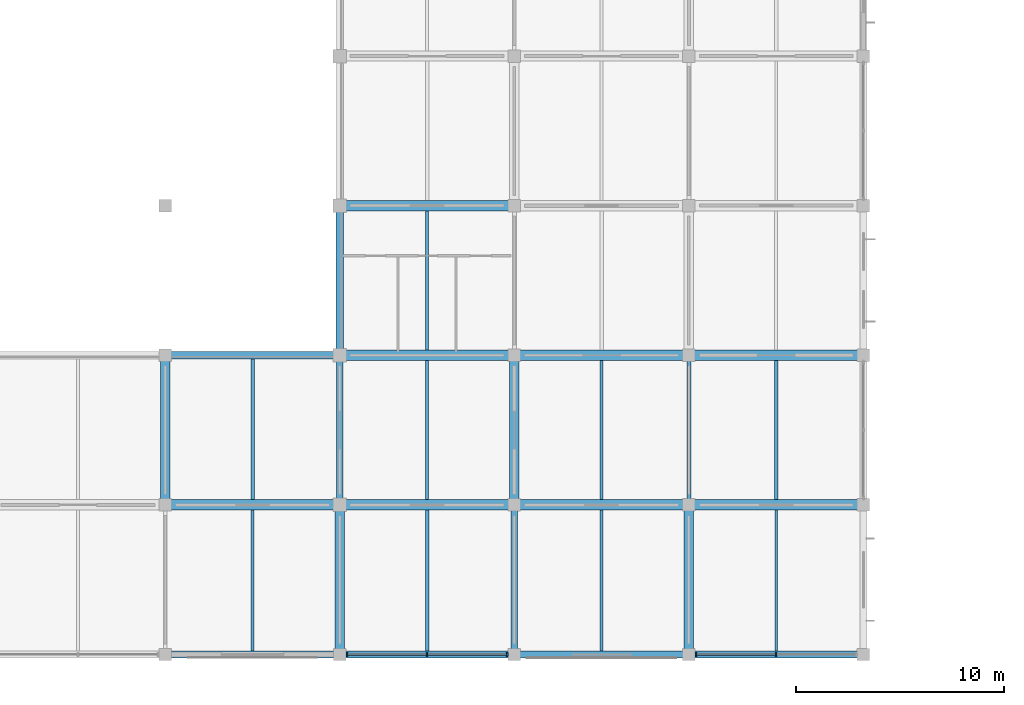
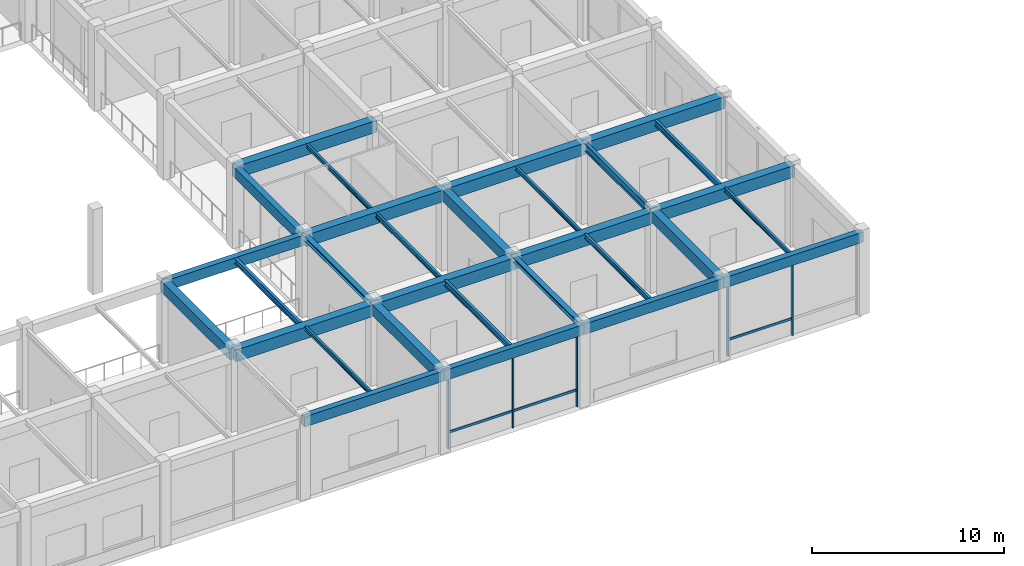
# One storey, part 3 of 38: 30 beams, 8 members, 2 elements without a shape of their own.
"""IFC4 building model written with IfcOpenShell, lengths in metres."""

from ifc_helpers import new_model, si_unit, derived_unit, direction, frame, origin, origin_2d, place, context, subcontext, project, spatial, rectangle, i_section, extrude, material, material_profile, profile_set, type_object, element, aggregate, save


model = new_model("IFC4")

# Units and contexts
model_context = context("Model", 3, precision=1e-05, world=origin(), true_north=direction((0.0, 1.0)))
body_context = subcontext(model_context, "Body", "Model", "MODEL_VIEW")
ifc_project = project(units=[si_unit("LENGTHUNIT", "METRE"), si_unit("AREAUNIT", "SQUARE_METRE"), si_unit("VOLUMEUNIT", "CUBIC_METRE"), si_unit("PLANEANGLEUNIT", "RADIAN"), si_unit("MASSUNIT", "GRAM", prefix="KILO"), derived_unit("THERMALTRANSMITTANCEUNIT", [(si_unit("MASSUNIT", "GRAM", prefix="KILO"), 1), (si_unit("TIMEUNIT", "SECOND"), -3), (si_unit("THERMODYNAMICTEMPERATUREUNIT", "KELVIN"), -1)])], contexts=[model_context])

# Site, building, storey
site_placement = place(None, origin())
site = spatial("IfcSite", under=ifc_project, at=site_placement, CompositionType="ELEMENT")
building_placement = place(site_placement, origin())
building = spatial("IfcBuilding", under=site, at=building_placement, Name="Veldstrom Oceanarium and Marine Research Institute", CompositionType="ELEMENT")
storey_placement = place(building_placement, frame((0.0, 0.0, 11.39990234375)))
storey = spatial("IfcBuildingStorey", under=building, at=storey_placement, Name="L02", CompositionType="ELEMENT", Elevation=11.39990234375)

# Curtain wall, members
ifc_material_1 = material(Name="Anodised Aluminium Framing", Category="aluminium")
curtain_wall_type = type_object("IfcCurtainWallType", Name="ARC-CW-CW02", PredefinedType="USERDEFINED", material=ifc_material_1)
curtain_wall_1_placement = place(storey_placement, origin())
curtain_wall_1 = element("IfcCurtainWall", 1, at=curtain_wall_1_placement, inside=storey, type_object=curtain_wall_type, Name="Curtain Wall CW02 CW-L02-024", ObjectType="Curtain wall", PredefinedType="USERDEFINED")
ifc_material_2 = material(Name="Anodised Aluminium Framing", Category="aluminium")
ifc_material_profile_1 = material_profile(ifc_material_2, rectangle(XDim=0.074951171875, YDim=0.179931640625, at=origin_2d()), Name="ALU-MUL-75x180")
ifc_profile_set_1 = profile_set([ifc_material_profile_1], Name="Anodised Aluminium Framing")
member_type_1 = type_object("IfcMemberType", Name="ARC-MUL-ML1", PredefinedType="MULLION", material=ifc_profile_set_1)
member_1_placement = place(storey_placement, frame((42.340087890625, 0.0, 0.0), z_axis=(0.0, 0.0, 1.0), x_axis=(1.0, 0.0, 0.0)))
member_1 = element("IfcMember", 2, at=member_1_placement, type_object=member_type_1, Name="Curtain Wall Mullion CW-L02-024-MUL-1", PredefinedType="MULLION", context=body_context, shape_type="SweptSolid", body=[
    extrude(rectangle(XDim=0.074951171875, YDim=0.179931640625, at=origin_2d()), origin(), (0.0, 0.0, 1.0), 5.10009765625),
])
member_2_placement = place(storey_placement, frame((46.199951171875, 0.0, 0.0), z_axis=(0.0, 0.0, 1.0), x_axis=(1.0, 0.0, 0.0)))
member_2 = element("IfcMember", 3, at=member_2_placement, type_object=member_type_1, Name="Curtain Wall Mullion CW-L02-024-MUL-2", PredefinedType="MULLION", context=body_context, shape_type="SweptSolid", body=[
    extrude(rectangle(XDim=0.074951171875, YDim=0.179931640625, at=origin_2d()), origin(), (0.0, 0.0, 1.0), 5.10009765625),
])
member_3_placement = place(storey_placement, frame((50.06005859375, 0.0, 0.0), z_axis=(0.0, 0.0, 1.0), x_axis=(1.0, 0.0, 0.0)))
member_3 = element("IfcMember", 4, at=member_3_placement, type_object=member_type_1, Name="Curtain Wall Mullion CW-L02-024-MUL-3", PredefinedType="MULLION", context=body_context, shape_type="SweptSolid", body=[
    extrude(rectangle(XDim=0.074951171875, YDim=0.179931640625, at=origin_2d()), origin(), (0.0, 0.0, 1.0), 5.10009765625),
])

curtain_wall_2_placement = place(storey_placement, origin())
curtain_wall_2 = element("IfcCurtainWall", 5, at=curtain_wall_2_placement, inside=storey, type_object=curtain_wall_type, Name="Curtain Wall CW02 CW-L02-026", ObjectType="Curtain wall", PredefinedType="USERDEFINED")
member_4_placement = place(storey_placement, frame((59.139892578125, 0.0, 0.0), z_axis=(0.0, 0.0, 1.0), x_axis=(1.0, 0.0, 0.0)))
member_4 = element("IfcMember", 6, at=member_4_placement, type_object=member_type_1, Name="Curtain Wall Mullion CW-L02-026-MUL-1", PredefinedType="MULLION", context=body_context, shape_type="SweptSolid", body=[
    extrude(rectangle(XDim=0.074951171875, YDim=0.179931640625, at=origin_2d()), origin(), (0.0, 0.0, 1.0), 5.10009765625),
])
member_5_placement = place(storey_placement, frame((63.0, 0.0, 0.0), z_axis=(0.0, 0.0, 1.0), x_axis=(1.0, 0.0, 0.0)))
member_5 = element("IfcMember", 7, at=member_5_placement, type_object=member_type_1, Name="Curtain Wall Mullion CW-L02-026-MUL-2", PredefinedType="MULLION", context=body_context, shape_type="SweptSolid", body=[
    extrude(rectangle(XDim=0.074951171875, YDim=0.179931640625, at=origin_2d()), origin(), (0.0, 0.0, 1.0), 5.10009765625),
])

# Member
ifc_material_3 = material(Name="Anodised Aluminium Framing", Category="aluminium")
ifc_material_profile_2 = material_profile(ifc_material_3, rectangle(XDim=0.074951171875, YDim=0.14990234375, at=origin_2d()), Name="ALU-TRN-75x150")
ifc_profile_set_2 = profile_set([ifc_material_profile_2], Name="Anodised Aluminium Framing")
member_type_2 = type_object("IfcMemberType", Name="ARC-TRN-TR1", PredefinedType="USERDEFINED", material=ifc_profile_set_2)
member_6_placement = place(storey_placement, frame((42.3798828125, 0.0, 1.050048828125), z_axis=(1.0, 0.0, 0.0), x_axis=(0.0, 1.0, 0.0)))
member_6 = element("IfcMember", 8, at=member_6_placement, type_object=member_type_2, Name="Curtain Wall Transom CW-L02-024-TRN-1", ObjectType="Transom", PredefinedType="USERDEFINED", context=body_context, shape_type="SweptSolid", body=[
    extrude(rectangle(XDim=0.074951171875, YDim=0.14990234375, at=origin_2d()), origin(), (0.0, 0.0, 1.0), 3.780029296875),
])

member_7_placement = place(storey_placement, frame((46.239990234375, 0.0, 1.050048828125), z_axis=(1.0, 0.0, 0.0), x_axis=(0.0, 1.0, 0.0)))
member_7 = element("IfcMember", 9, at=member_7_placement, type_object=member_type_2, Name="Curtain Wall Transom CW-L02-024-TRN-2", ObjectType="Transom", PredefinedType="USERDEFINED", context=body_context, shape_type="SweptSolid", body=[
    extrude(rectangle(XDim=0.074951171875, YDim=0.14990234375, at=origin_2d()), origin(), (0.0, 0.0, 1.0), 3.780029296875),
])

aggregate(curtain_wall_1, [member_1, member_2, member_3, member_6, member_7])

member_8_placement = place(storey_placement, frame((59.179931640625, 0.0, 1.050048828125), z_axis=(1.0, 0.0, 0.0), x_axis=(0.0, 1.0, 0.0)))
member_8 = element("IfcMember", 10, at=member_8_placement, type_object=member_type_2, Name="Curtain Wall Transom CW-L02-026-TRN-1", ObjectType="Transom", PredefinedType="USERDEFINED", context=body_context, shape_type="SweptSolid", body=[
    extrude(rectangle(XDim=0.074951171875, YDim=0.14990234375, at=origin_2d()), origin(), (0.0, 0.0, 1.0), 3.780029296875),
])

aggregate(curtain_wall_2, [member_4, member_5, member_8])

# Beams
ifc_material_4 = material(Name="Concrete C40/50", Category="concrete")
ifc_material_profile_3 = material_profile(ifc_material_4, rectangle(XDim=0.5, YDim=0.75, at=origin_2d()), Name="RC-BM-500x750")
ifc_profile_set_3 = profile_set([ifc_material_profile_3], Name="Concrete C40/50")
beam_type_1 = type_object("IfcBeamType", Name="STR-BM-B03", PredefinedType="BEAM", material=ifc_profile_set_3)
for number, where, z_axis, x_axis, name in (
    (11, (33.60009765625, 7.199951171875, 4.72021484375), (1.0, 0.0, 0.0), (0.0, 1.0, 0.0), "Primary Beam B03 L02-1514"),
    (12, (42.0, 7.199951171875, 4.72021484375), (1.0, 0.0, 0.0), (0.0, 1.0, 0.0), "Primary Beam B03 L02-1520"),
    (13, (42.0, 14.39990234375, 4.72021484375), (1.0, 0.0, 0.0), (0.0, 1.0, 0.0), "Primary Beam B03 L02-1521"),
    (14, (42.0, 21.60009765625, 4.72021484375), (1.0, 0.0, 0.0), (0.0, 1.0, 0.0), "Primary Beam B03 L02-1522"),
):
    element("IfcBeam", number, at=place(storey_placement, frame(where, z_axis=z_axis, x_axis=x_axis)), inside=storey, type_object=beam_type_1, Name=name, PredefinedType="BEAM", context=body_context, shape_type="SweptSolid", body=[
        extrude(rectangle(XDim=0.5, YDim=0.75, at=origin_2d()), origin(), (0.0, 0.0, 1.0), 8.39990234375),
    ])
for number, where, z_axis, x_axis, name in (
    (15, (50.39990234375, 7.199951171875, 4.72021484375), (1.0, 0.0, 0.0), (0.0, 1.0, 0.0), "Primary Beam B03 L02-1531"),
    (16, (50.39990234375, 14.39990234375, 4.72021484375), (1.0, 0.0, 0.0), (0.0, 1.0, 0.0), "Primary Beam B03 L02-1532"),
):
    element("IfcBeam", number, at=place(storey_placement, frame(where, z_axis=z_axis, x_axis=x_axis)), inside=storey, type_object=beam_type_1, Name=name, PredefinedType="BEAM", context=body_context, shape_type="SweptSolid", body=[
        extrude(rectangle(XDim=0.5, YDim=0.75, at=origin_2d()), origin(), (0.0, 0.0, 1.0), 8.400146484375),
    ])
for number, where, z_axis, x_axis, name in (
    (17, (58.800048828125, 7.199951171875, 4.72021484375), (1.0, 0.0, 0.0), (0.0, 1.0, 0.0), "Primary Beam B03 L02-1542"),
    (18, (58.800048828125, 14.39990234375, 4.72021484375), (1.0, 0.0, 0.0), (0.0, 1.0, 0.0), "Primary Beam B03 L02-1543"),
):
    element("IfcBeam", number, at=place(storey_placement, frame(where, z_axis=z_axis, x_axis=x_axis)), inside=storey, type_object=beam_type_1, Name=name, PredefinedType="BEAM", context=body_context, shape_type="SweptSolid", body=[
        extrude(rectangle(XDim=0.5, YDim=0.75, at=origin_2d()), origin(), (0.0, 0.0, 1.0), 8.39990234375),
    ])
ifc_material_5 = material(Name="Concrete C40/50", Category="concrete")
ifc_material_profile_4 = material_profile(ifc_material_5, rectangle(XDim=0.449951171875, YDim=0.699951171875, at=origin_2d()), Name="RC-BM-450x700")
ifc_profile_set_4 = profile_set([ifc_material_profile_4], Name="Concrete C40/50")
beam_type_2 = type_object("IfcBeamType", Name="STR-BM-B04", PredefinedType="BEAM", material=ifc_profile_set_4)
for number, where, z_axis, x_axis, name in (
    (19, (33.60009765625, 7.199951171875, 4.7451171875), (0.0, 1.0, 0.0), (-1.0, 0.0, 0.0), "Primary Beam B04 L02-1642"),
    (20, (42.0, 0.0, 4.820068359375), (0.0, 1.0, 0.0), (-1.0, 0.0, 0.0), "Primary Beam B04 L02-1645"),
    (21, (50.39990234375, 7.199951171875, 4.7451171875), (0.0, 1.0, 0.0), (-1.0, 0.0, 0.0), "Primary Beam B04 L02-1656"),
    (22, (58.800048828125, 0.0, 4.820068359375), (0.0, 1.0, 0.0), (-1.0, 0.0, 0.0), "Primary Beam B04 L02-1665"),
):
    element("IfcBeam", number, at=place(storey_placement, frame(where, z_axis=z_axis, x_axis=x_axis)), inside=storey, type_object=beam_type_2, Name=name, PredefinedType="BEAM", context=body_context, shape_type="SweptSolid", body=[
        extrude(rectangle(XDim=0.449951171875, YDim=0.699951171875, at=origin_2d()), origin(), (0.0, 0.0, 1.0), 7.199951171875),
    ])
ifc_material_6 = material(Name="Steel S355JR", Category="steel")
ifc_material_profile_5 = material_profile(ifc_material_6, i_section(OverallWidth=0.300048828125, OverallDepth=0.2900390625, WebThickness=0.008544921875, FlangeThickness=0.013916015625, FilletRadius=0.027099609375, at=origin_2d()), Name="HEA 300")
ifc_profile_set_5 = profile_set([ifc_material_profile_5], Name="Steel S355JR")
beam_type_3 = type_object("IfcBeamType", Name="STR-BM-SB10", PredefinedType="BEAM", material=ifc_profile_set_5)
for number, where, z_axis, x_axis, name in (
    (23, (42.0, 7.199951171875, 4.9501953125), (0.0, 1.0, 0.0), (-1.0, 0.0, 0.0), "Steel Tie Beam SB10 L02-1646"),
    (24, (50.39990234375, 0.0, 5.025146484375), (0.0, 1.0, 0.0), (-1.0, 0.0, 0.0), "Steel Tie Beam SB10 L02-1655"),
):
    element("IfcBeam", number, at=place(storey_placement, frame(where, z_axis=z_axis, x_axis=x_axis)), inside=storey, type_object=beam_type_3, Name=name, PredefinedType="BEAM", context=body_context, shape_type="SweptSolid", body=[
        extrude(i_section(OverallWidth=0.300048828125, OverallDepth=0.2900390625, WebThickness=0.008544921875, FlangeThickness=0.013916015625, FilletRadius=0.027099609375, at=origin_2d()), origin(), (0.0, 0.0, 1.0), 7.199951171875),
    ])
ifc_material_7 = material(Name="Steel S355JR", Category="steel")
ifc_material_profile_6 = material_profile(ifc_material_7, i_section(OverallWidth=0.199951171875, OverallDepth=0.5, WebThickness=0.01025390625, FlangeThickness=0.01611328125, FilletRadius=0.02099609375, at=origin_2d()), Name="IPE 500")
ifc_profile_set_6 = profile_set([ifc_material_profile_6], Name="Steel S355JR")
beam_type_4 = type_object("IfcBeamType", Name="STR-BM-SB6", PredefinedType="BEAM", material=ifc_profile_set_6)
beam_1_placement = place(storey_placement, frame((58.800048828125, 7.199951171875, 4.84521484375), z_axis=(0.0, 1.0, 0.0), x_axis=(-1.0, 0.0, 0.0)))
element("IfcBeam", 25, at=beam_1_placement, inside=storey, type_object=beam_type_4, Name="Steel Tie Beam SB6 L02-1666", PredefinedType="BEAM", context=body_context, shape_type="SweptSolid", body=[
    extrude(i_section(OverallWidth=0.199951171875, OverallDepth=0.5, WebThickness=0.01025390625, FlangeThickness=0.01611328125, FilletRadius=0.02099609375, at=origin_2d()), origin(), (0.0, 0.0, 1.0), 7.199951171875),
])
ifc_material_8 = material(Name="Steel S355JR", Category="steel")
ifc_material_profile_7 = material_profile(ifc_material_8, i_section(OverallWidth=0.169921875, OverallDepth=0.360107421875, WebThickness=0.008056640625, FlangeThickness=0.0126953125, FilletRadius=0.01806640625, at=origin_2d()), Name="IPE 360")
ifc_profile_set_7 = profile_set([ifc_material_profile_7], Name="Steel S355JR")
beam_type_5 = type_object("IfcBeamType", Name="STR-JST-SJ1", PredefinedType="JOIST", material=ifc_profile_set_7)
beam_2_placement = place(storey_placement, frame((37.800048828125, 7.449951171875, 4.9150390625), z_axis=(0.0, 1.0, 0.0), x_axis=(-1.0, 0.0, 0.0)))
element("IfcBeam", 26, at=beam_2_placement, inside=storey, type_object=beam_type_5, Name="Secondary Joist SJ1 L02-1759", PredefinedType="JOIST", context=body_context, shape_type="SweptSolid", body=[
    extrude(i_section(OverallWidth=0.169921875, OverallDepth=0.360107421875, WebThickness=0.008056640625, FlangeThickness=0.0126953125, FilletRadius=0.01806640625, at=origin_2d()), origin(), (0.0, 0.0, 1.0), 6.775146484375),
])
beam_3_placement = place(storey_placement, frame((46.199951171875, 0.175048828125, 4.989990234375), z_axis=(0.0, 1.0, 0.0), x_axis=(-1.0, 0.0, 0.0)))
element("IfcBeam", 27, at=beam_3_placement, inside=storey, type_object=beam_type_5, Name="Secondary Joist SJ1 L02-1762", PredefinedType="JOIST", context=body_context, shape_type="SweptSolid", body=[
    extrude(i_section(OverallWidth=0.169921875, OverallDepth=0.360107421875, WebThickness=0.008056640625, FlangeThickness=0.0126953125, FilletRadius=0.01806640625, at=origin_2d()), origin(), (0.0, 0.0, 1.0), 6.77490234375),
])
beam_4_placement = place(storey_placement, frame((63.0, 7.449951171875, 4.9150390625), z_axis=(0.0, 1.0, 0.0), x_axis=(-1.0, 0.0, 0.0)))
element("IfcBeam", 28, at=beam_4_placement, inside=storey, type_object=beam_type_5, Name="Secondary Joist SJ1 L02-1781", PredefinedType="JOIST", context=body_context, shape_type="SweptSolid", body=[
    extrude(i_section(OverallWidth=0.169921875, OverallDepth=0.360107421875, WebThickness=0.008056640625, FlangeThickness=0.0126953125, FilletRadius=0.01806640625, at=origin_2d()), origin(), (0.0, 0.0, 1.0), 6.699951171875),
])
ifc_material_9 = material(Name="Steel S355JR", Category="steel")
ifc_material_profile_8 = material_profile(ifc_material_9, i_section(OverallWidth=0.14990234375, OverallDepth=0.300048828125, WebThickness=0.007080078125, FlangeThickness=0.0107421875, FilletRadius=0.014892578125, at=origin_2d()), Name="IPE 300")
ifc_profile_set_8 = profile_set([ifc_material_profile_8], Name="Steel S355JR")
beam_type_6 = type_object("IfcBeamType", Name="STR-JST-SJ2", PredefinedType="JOIST", material=ifc_profile_set_8)
beam_5_placement = place(storey_placement, frame((46.199951171875, 7.449951171875, 4.945068359375), z_axis=(0.0, 1.0, 0.0), x_axis=(-1.0, 0.0, 0.0)))
element("IfcBeam", 29, at=beam_5_placement, inside=storey, type_object=beam_type_6, Name="Secondary Joist SJ2 L02-1763", PredefinedType="JOIST", context=body_context, shape_type="SweptSolid", body=[
    extrude(i_section(OverallWidth=0.14990234375, OverallDepth=0.300048828125, WebThickness=0.007080078125, FlangeThickness=0.0107421875, FilletRadius=0.014892578125, at=origin_2d()), origin(), (0.0, 0.0, 1.0), 6.699951171875),
])
beam_6_placement = place(storey_placement, frame((54.60009765625, 0.175048828125, 5.02001953125), z_axis=(0.0, 1.0, 0.0), x_axis=(-1.0, 0.0, 0.0)))
element("IfcBeam", 30, at=beam_6_placement, inside=storey, type_object=beam_type_6, Name="Secondary Joist SJ2 L02-1771", PredefinedType="JOIST", context=body_context, shape_type="SweptSolid", body=[
    extrude(i_section(OverallWidth=0.14990234375, OverallDepth=0.300048828125, WebThickness=0.007080078125, FlangeThickness=0.0107421875, FilletRadius=0.014892578125, at=origin_2d()), origin(), (0.0, 0.0, 1.0), 6.77490234375),
])
ifc_material_10 = material(Name="Steel S355JR", Category="steel")
ifc_material_profile_9 = material_profile(ifc_material_10, i_section(OverallWidth=0.135009765625, OverallDepth=0.27001953125, WebThickness=0.006591796875, FlangeThickness=0.01025390625, FilletRadius=0.014892578125, at=origin_2d()), Name="IPE 270")
ifc_profile_set_9 = profile_set([ifc_material_profile_9], Name="Steel S355JR")
beam_type_7 = type_object("IfcBeamType", Name="STR-JST-SJ3", PredefinedType="JOIST", material=ifc_profile_set_9)
beam_7_placement = place(storey_placement, frame((37.800048828125, 0.175048828125, 5.03515625), z_axis=(0.0, 1.0, 0.0), x_axis=(-1.0, 0.0, 0.0)))
element("IfcBeam", 31, at=beam_7_placement, inside=storey, type_object=beam_type_7, Name="Secondary Joist SJ3 L02-1758", PredefinedType="JOIST", context=body_context, shape_type="SweptSolid", body=[
    extrude(i_section(OverallWidth=0.135009765625, OverallDepth=0.27001953125, WebThickness=0.006591796875, FlangeThickness=0.01025390625, FilletRadius=0.014892578125, at=origin_2d()), origin(), (0.0, 0.0, 1.0), 6.77490234375),
])
beam_8_placement = place(storey_placement, frame((46.199951171875, 14.64990234375, 4.960205078125), z_axis=(0.0, 1.0, 0.0), x_axis=(-1.0, 0.0, 0.0)))
element("IfcBeam", 32, at=beam_8_placement, inside=storey, type_object=beam_type_7, Name="Secondary Joist SJ3 L02-1764", PredefinedType="JOIST", context=body_context, shape_type="SweptSolid", body=[
    extrude(i_section(OverallWidth=0.135009765625, OverallDepth=0.27001953125, WebThickness=0.006591796875, FlangeThickness=0.01025390625, FilletRadius=0.014892578125, at=origin_2d()), origin(), (0.0, 0.0, 1.0), 6.7001953125),
])
beam_9_placement = place(storey_placement, frame((54.60009765625, 7.449951171875, 4.960205078125), z_axis=(0.0, 1.0, 0.0), x_axis=(-1.0, 0.0, 0.0)))
element("IfcBeam", 33, at=beam_9_placement, inside=storey, type_object=beam_type_7, Name="Secondary Joist SJ3 L02-1772", PredefinedType="JOIST", context=body_context, shape_type="SweptSolid", body=[
    extrude(i_section(OverallWidth=0.135009765625, OverallDepth=0.27001953125, WebThickness=0.006591796875, FlangeThickness=0.01025390625, FilletRadius=0.014892578125, at=origin_2d()), origin(), (0.0, 0.0, 1.0), 6.699951171875),
])
beam_10_placement = place(storey_placement, frame((63.0, 0.175048828125, 5.03515625), z_axis=(0.0, 1.0, 0.0), x_axis=(-1.0, 0.0, 0.0)))
element("IfcBeam", 34, at=beam_10_placement, inside=storey, type_object=beam_type_7, Name="Secondary Joist SJ3 L02-1780", PredefinedType="JOIST", context=body_context, shape_type="SweptSolid", body=[
    extrude(i_section(OverallWidth=0.135009765625, OverallDepth=0.27001953125, WebThickness=0.006591796875, FlangeThickness=0.01025390625, FilletRadius=0.014892578125, at=origin_2d()), origin(), (0.0, 0.0, 1.0), 6.77490234375),
])
ifc_material_11 = material(Name="Concrete C40/50", Category="concrete")
ifc_material_profile_10 = material_profile(ifc_material_11, rectangle(XDim=0.35009765625, YDim=0.64990234375, at=origin_2d()), Name="RC-SPN-350x650")
ifc_profile_set_10 = profile_set([ifc_material_profile_10], Name="Concrete C40/50")
beam_type_8 = type_object("IfcBeamType", Name="STR-SPN-SP1", PredefinedType="SPANDREL", material=ifc_profile_set_10)
for number, where, z_axis, x_axis, name in (
    (35, (33.60009765625, 0.0, 4.84521484375), (1.0, 0.0, 0.0), (0.0, 1.0, 0.0), "Perimeter Spandrel SPB1 L02-1513"),
    (36, (33.60009765625, 14.39990234375, 4.77001953125), (1.0, 0.0, 0.0), (0.0, 1.0, 0.0), "Perimeter Spandrel SPB1 L02-1515"),
    (37, (42.0, 0.0, 4.84521484375), (1.0, 0.0, 0.0), (0.0, 1.0, 0.0), "Perimeter Spandrel SPB1 L02-1519"),
):
    element("IfcBeam", number, at=place(storey_placement, frame(where, z_axis=z_axis, x_axis=x_axis)), inside=storey, type_object=beam_type_8, Name=name, PredefinedType="SPANDREL", context=body_context, shape_type="SweptSolid", body=[
        extrude(rectangle(XDim=0.35009765625, YDim=0.64990234375, at=origin_2d()), origin(), (0.0, 0.0, 1.0), 8.39990234375),
    ])
beam_11_placement = place(storey_placement, frame((50.39990234375, 0.0, 4.84521484375), z_axis=(1.0, 0.0, 0.0), x_axis=(0.0, 1.0, 0.0)))
element("IfcBeam", 38, at=beam_11_placement, inside=storey, type_object=beam_type_8, Name="Perimeter Spandrel SPB1 L02-1530", PredefinedType="SPANDREL", context=body_context, shape_type="SweptSolid", body=[
    extrude(rectangle(XDim=0.35009765625, YDim=0.64990234375, at=origin_2d()), origin(), (0.0, 0.0, 1.0), 8.400146484375),
])
beam_12_placement = place(storey_placement, frame((58.800048828125, 0.0, 4.84521484375), z_axis=(1.0, 0.0, 0.0), x_axis=(0.0, 1.0, 0.0)))
element("IfcBeam", 39, at=beam_12_placement, inside=storey, type_object=beam_type_8, Name="Perimeter Spandrel SPB1 L02-1541", PredefinedType="SPANDREL", context=body_context, shape_type="SweptSolid", body=[
    extrude(rectangle(XDim=0.35009765625, YDim=0.64990234375, at=origin_2d()), origin(), (0.0, 0.0, 1.0), 8.39990234375),
])
beam_13_placement = place(storey_placement, frame((42.0, 14.39990234375, 4.77001953125), z_axis=(0.0, 1.0, 0.0), x_axis=(-1.0, 0.0, 0.0)))
element("IfcBeam", 40, at=beam_13_placement, inside=storey, type_object=beam_type_8, Name="Perimeter Spandrel SPB1 L02-1647", PredefinedType="SPANDREL", context=body_context, shape_type="SweptSolid", body=[
    extrude(rectangle(XDim=0.35009765625, YDim=0.64990234375, at=origin_2d()), origin(), (0.0, 0.0, 1.0), 7.2001953125),
])

save(model, "model.ifc")
